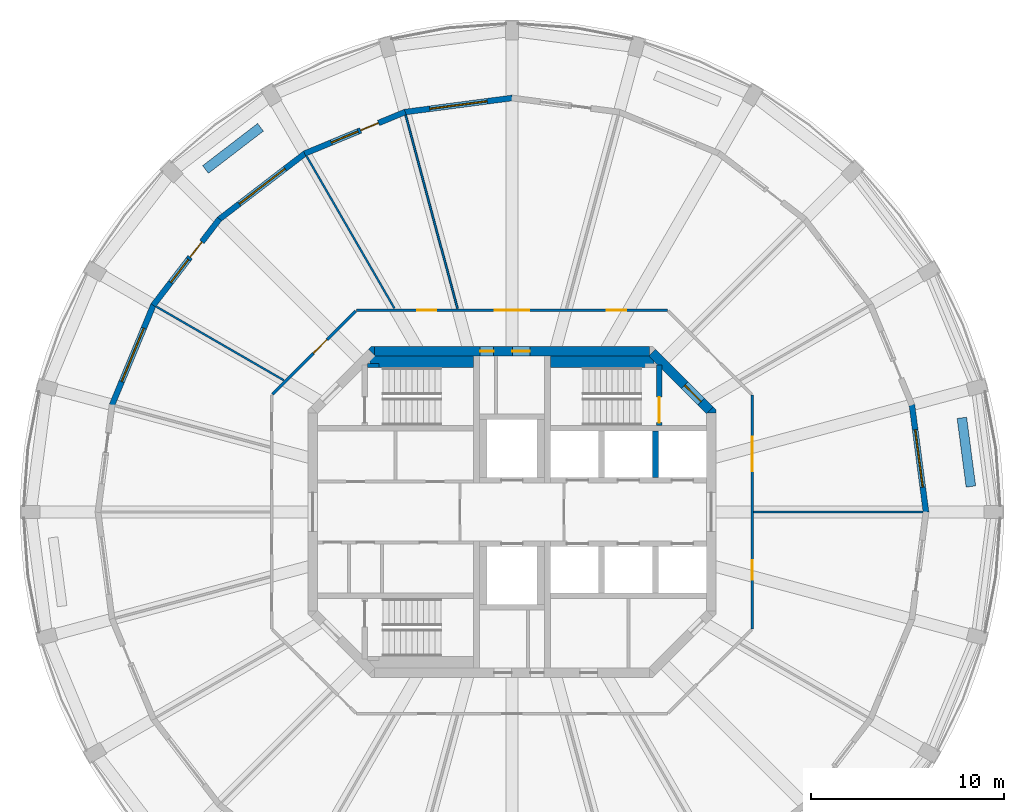
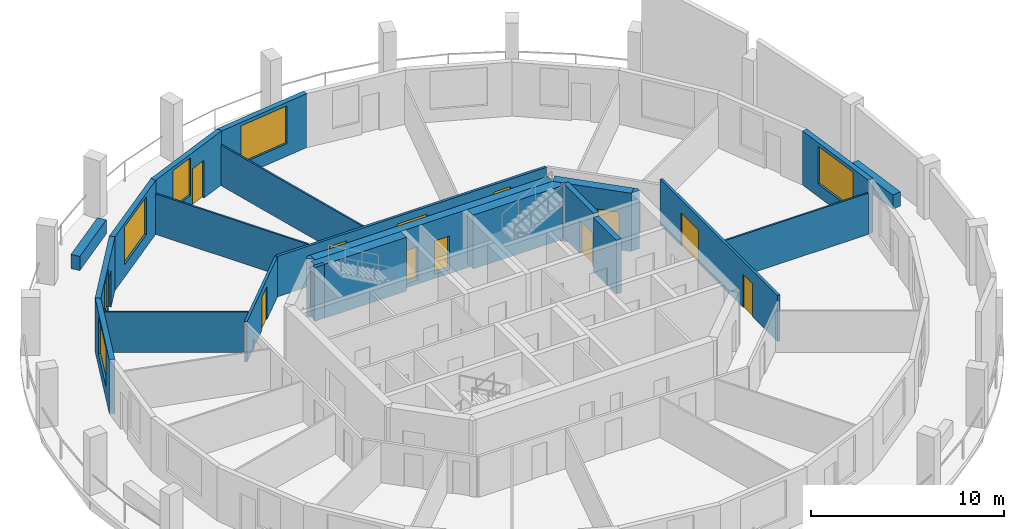
# One storey, part 5 of 8: 24 walls, 12 doors, 6 windows, 18 openings.
"""IFC4 building model written with IfcOpenShell, lengths in metres."""

from ifc_helpers import new_model, si_unit, direction, frame, frame_2d, origin, place, context, subcontext, project, spatial, polyline, rectangle, outline, extrude, material, layer, layer_set, type_object, element, fill, save


model = new_model("IFC4")

# Units and contexts
model_context = context("Model", 3, precision=1e-05, world=origin(), true_north=direction((0.0, 1.0)))
body_context = subcontext(model_context, "Body", "Model", "MODEL_VIEW")
ifc_project = project(units=[si_unit("LENGTHUNIT", "METRE"), si_unit("AREAUNIT", "SQUARE_METRE"), si_unit("VOLUMEUNIT", "CUBIC_METRE"), si_unit("PLANEANGLEUNIT", "RADIAN"), si_unit("MASSUNIT", "GRAM", prefix="KILO")], contexts=[model_context])

# Site, building, storey
site_placement = place(None, origin())
site = spatial("IfcSite", under=ifc_project, at=site_placement, CompositionType="ELEMENT")
building_placement = place(site_placement, origin())
building = spatial("IfcBuilding", under=site, at=building_placement, Name="Torre Triforio", CompositionType="ELEMENT")
storey_placement = place(building_placement, frame((0.0, 0.0, 287.10009765625)))
storey = spatial("IfcBuildingStorey", under=building, at=storey_placement, Name="L66", CompositionType="ELEMENT", Elevation=287.10009765625)

# Wall, openings, doors
ifc_material_1 = material(Name="Concrete C40", Category="concrete")
ifc_layer_1 = layer(ifc_material_1, 0.5)
ifc_layer_set_1 = layer_set([ifc_layer_1], Name="Concrete C40")
wall_type_1 = type_object("IfcWallType", Name="Core wall 500 mm C40 EI 120", PredefinedType="SHEAR", material=ifc_layer_set_1)
wall_1_placement = place(storey_placement, frame((-7.1298828125, 8.35009765625, -0.280029296875), z_axis=(0.0, 0.0, 1.0), x_axis=(1.0, 0.0, 0.0)))
wall_1 = element("IfcWall", 1, at=wall_1_placement, inside=storey, type_object=wall_type_1, Name="Core wall", PredefinedType="SHEAR", context=body_context, shape_type="SweptSolid", body=[
    extrude(rectangle(XDim=14.259765625, YDim=0.5, at=frame_2d((7.1298828125, 0.0))), origin(), (0.0, 0.0, 1.0), 3.699951171875),
])
opening_1_placement = place(wall_1_placement, frame((5.47998046875, 0.0, 0.280029296875)))
opening_1 = element("IfcOpeningElement", 2, at=opening_1_placement, cuts=wall_1, Name="Opening RISER-N", PredefinedType="OPENING", context=body_context, shape_type="SweptSolid", body=[
    extrude(rectangle(XDim=0.699951171875, YDim=2.10009765625, at=frame_2d((0.35009765625, 1.050048828125))), frame((0.0, 0.260009765625, 0.0), z_axis=(0.0, -1.0, 0.0), x_axis=(1.0, 0.0, 0.0)), (0.0, 0.0, 1.0), 0.52001953125),
])
opening_2_placement = place(wall_1_placement, frame((7.155029296875, 0.0, 0.280029296875)))
opening_2 = element("IfcOpeningElement", 3, at=opening_2_placement, cuts=wall_1, Name="Opening NE-01", PredefinedType="OPENING", context=body_context, shape_type="SweptSolid", body=[
    extrude(rectangle(XDim=0.89990234375, YDim=2.10009765625, at=frame_2d((0.449951171875, 1.050048828125))), frame((0.0, 0.260009765625, 0.0), z_axis=(0.0, -1.0, 0.0), x_axis=(1.0, 0.0, 0.0)), (0.0, 0.0, 1.0), 0.52001953125),
])
ifc_material_2 = material(Name="Hollow metal fire door leaf")
door_type_1 = type_object("IfcDoorType", Name="Riser door 700 x 2100 EI 60", OperationType="NOTDEFINED", PredefinedType="DOOR", material=ifc_material_2)
door_1_placement = place(opening_1_placement, origin())
door_1 = element("IfcDoor", 4, at=door_1_placement, inside=storey, type_object=door_type_1, Name="Core door RISER-N", OperationType="SINGLE_SWING_LEFT", OverallHeight=2.10009765625, OverallWidth=0.699951171875, PredefinedType="DOOR", context=body_context, shape_type="SweptSolid", body=[
    extrude(rectangle(XDim=0.699951171875, YDim=2.10009765625, at=frame_2d((0.35009765625, 1.050048828125))), frame((0.0, 0.02490234375, 0.0), z_axis=(0.0, -1.0, 0.0), x_axis=(1.0, 0.0, 0.0)), (0.0, 0.0, 1.0), 0.050048828125),
])
fill(opening_1, door_1)
door_type_2 = type_object("IfcDoorType", Name="Room door 900 x 2100 EI 60", OperationType="NOTDEFINED", PredefinedType="DOOR", material=ifc_material_2)
door_2_placement = place(opening_2_placement, origin())
door_2 = element("IfcDoor", 5, at=door_2_placement, inside=storey, type_object=door_type_2, Name="Core door NE-01", OperationType="SINGLE_SWING_RIGHT", OverallHeight=2.10009765625, OverallWidth=0.89990234375, PredefinedType="DOOR", context=body_context, shape_type="SweptSolid", body=[
    extrude(rectangle(XDim=0.89990234375, YDim=2.10009765625, at=frame_2d((0.449951171875, 1.050048828125))), frame((0.0, 0.02490234375, 0.0), z_axis=(0.0, -1.0, 0.0), x_axis=(1.0, 0.0, 0.0)), (0.0, 0.0, 1.0), 0.050048828125),
])
fill(opening_2, door_2)

# Wall, opening, door
wall_2_placement = place(storey_placement, frame((7.27685546875, 8.27685546875, -0.280029296875), z_axis=(0.0, 0.0, 1.0), x_axis=(0.707106781187, -0.707106781187, 0.0)))
wall_2 = element("IfcWall", 6, at=wall_2_placement, inside=storey, type_object=wall_type_1, Name="Core wall", PredefinedType="SHEAR", context=body_context, shape_type="SweptSolid", body=[
    extrude(rectangle(XDim=4.24267578125, YDim=0.5, at=frame_2d((2.121337890625, 0.0))), origin(), (0.0, 0.0, 1.0), 3.699951171875),
])
opening_3_placement = place(wall_2_placement, frame((2.392578125, 0.0, 0.280029296875)))
opening_3 = element("IfcOpeningElement", 7, at=opening_3_placement, cuts=wall_2, Name="Opening ST2-EXIT", PredefinedType="OPENING", context=body_context, shape_type="SweptSolid", body=[
    extrude(rectangle(XDim=1.199951171875, YDim=2.10009765625, at=frame_2d((0.60009765625, 1.050048828125))), frame((0.0, 0.260009765625, 0.0), z_axis=(0.0, -1.0, 0.0), x_axis=(1.0, 0.0, 0.0)), (0.0, 0.0, 1.0), 0.52001953125),
])
door_type_3 = type_object("IfcDoorType", Name="Stair lobby door 1200 x 2100 EI 60", OperationType="NOTDEFINED", PredefinedType="DOOR", material=ifc_material_2)
door_3_placement = place(opening_3_placement, origin())
door_3 = element("IfcDoor", 8, at=door_3_placement, inside=storey, type_object=door_type_3, Name="Core door ST2-EXIT", OperationType="SINGLE_SWING_RIGHT", OverallHeight=2.10009765625, OverallWidth=1.199951171875, PredefinedType="DOOR", context=body_context, shape_type="SweptSolid", body=[
    extrude(rectangle(XDim=1.199951171875, YDim=2.10009765625, at=frame_2d((0.60009765625, 1.050048828125))), frame((0.0, 0.02490234375, 0.0), z_axis=(0.0, -1.0, 0.0), x_axis=(1.0, 0.0, 0.0)), (0.0, 0.0, 1.0), 0.050048828125),
])
fill(opening_3, door_3)

# Walls
wall_3_placement = place(storey_placement, frame((0.0, 0.0, -0.280029296875)))
element("IfcWall", 9, at=wall_3_placement, inside=storey, type_object=wall_type_1, Name="Core wall", PredefinedType="SHEAR", context=body_context, shape_type="SweptSolid", body=[
    extrude(outline(polyline([(10.60009765625, 5.30712890625), (10.60009765625, 5.1298828125), (10.1298828125, 5.1298828125), (10.45361328125, 5.45361328125), (10.60009765625, 5.30712890625)])), origin(), (0.0, 0.0, 1.0), 3.699951171875),
])
wall_4_placement = place(storey_placement, frame((0.0, 0.0, -0.280029296875)))
element("IfcWall", 10, at=wall_4_placement, inside=storey, type_object=wall_type_1, Name="Core wall", PredefinedType="SHEAR", context=body_context, shape_type="SweptSolid", body=[
    extrude(outline(polyline([(-7.30712890625, 8.60009765625), (-7.1298828125, 8.60009765625), (-7.1298828125, 8.1298828125), (-7.45361328125, 8.45361328125), (-7.30712890625, 8.60009765625)])), origin(), (0.0, 0.0, 1.0), 3.699951171875),
])

# Wall, opening, door
ifc_material_3 = material(Name="Plasterboard on metal studs")
ifc_layer_2 = layer(ifc_material_3, 0.14990234375)
ifc_layer_set_2 = layer_set([ifc_layer_2], Name="Plasterboard on metal studs")
wall_type_2 = type_object("IfcWallType", Name="Corridor and tenancy wall 150 mm EI 60", PredefinedType="PARTITIONING", material=ifc_layer_set_2)
wall_5_placement = place(storey_placement, frame((-12.43798828125, 6.120849609375, 0.0), z_axis=(0.0, 0.0, 1.0), x_axis=(0.707106781187, 0.707106781187, 0.0)))
wall_5 = element("IfcWall", 11, at=wall_5_placement, inside=storey, type_object=wall_type_2, Name="Partition 5", PredefinedType="PARTITIONING", context=body_context, shape_type="SweptSolid", body=[
    extrude(rectangle(XDim=6.10546875, YDim=0.14990234375, at=frame_2d((3.052734375, 0.0))), origin(), (0.0, 0.0, 1.0), 2.56982421875),
])
opening_4_placement = place(wall_5_placement, frame((3.001953125, 0.0, 0.0)))
opening_4 = element("IfcOpeningElement", 12, at=opening_4_placement, cuts=wall_5, Name="Opening X1-08", PredefinedType="OPENING", context=body_context, shape_type="SweptSolid", body=[
    extrude(rectangle(XDim=1.0, YDim=2.10009765625, at=frame_2d((0.5, 1.050048828125))), frame((0.0, 0.0849609375, 0.0), z_axis=(0.0, -1.0, 0.0), x_axis=(1.0, 0.0, 0.0)), (0.0, 0.0, 1.0), 0.169921875),
])
ifc_material_4 = material(Name="Timber", Category="wood")
door_type_4 = type_object("IfcDoorType", Name="Door 1000 x 2100 single leaf EI 30", OperationType="NOTDEFINED", PredefinedType="DOOR", material=ifc_material_4)
door_4_placement = place(opening_4_placement, origin())
door_4 = element("IfcDoor", 13, at=door_4_placement, inside=storey, type_object=door_type_4, Name="Door X1-08", OperationType="SINGLE_SWING_LEFT", OverallHeight=2.10009765625, OverallWidth=1.0, PredefinedType="DOOR", context=body_context, shape_type="SweptSolid", body=[
    extrude(rectangle(XDim=1.0, YDim=2.10009765625, at=frame_2d((0.5, 1.050048828125))), frame((0.0, 0.02490234375, 0.0), z_axis=(0.0, -1.0, 0.0), x_axis=(1.0, 0.0, 0.0)), (0.0, 0.0, 1.0), 0.050048828125),
])
fill(opening_4, door_4)

# Wall, openings, doors
wall_6_placement = place(storey_placement, frame((-8.083740234375, 10.47509765625, 0.0), z_axis=(0.0, 0.0, 1.0), x_axis=(1.0, 0.0, 0.0)))
wall_6 = element("IfcWall", 14, at=wall_6_placement, inside=storey, type_object=wall_type_2, Name="Partition 6", PredefinedType="PARTITIONING", context=body_context, shape_type="SweptSolid", body=[
    extrude(rectangle(XDim=16.16748046875, YDim=0.14990234375, at=frame_2d((8.083740234375, 0.0))), origin(), (0.0, 0.0, 1.0), 2.56982421875),
])
opening_5_placement = place(wall_6_placement, frame((13.00390625, 0.0, 0.0)))
opening_5 = element("IfcOpeningElement", 15, at=opening_5_placement, cuts=wall_6, Name="Opening X1-05", PredefinedType="OPENING", context=body_context, shape_type="SweptSolid", body=[
    extrude(rectangle(XDim=1.0, YDim=2.10009765625, at=frame_2d((0.5, 1.050048828125))), frame((0.0, 0.0849609375, 0.0), z_axis=(0.0, -1.0, 0.0), x_axis=(1.0, 0.0, 0.0)), (0.0, 0.0, 1.0), 0.169921875),
])
opening_6_placement = place(wall_6_placement, frame((7.183837890625, 0.0, 0.0)))
opening_6 = element("IfcOpeningElement", 16, at=opening_6_placement, cuts=wall_6, Name="Opening X1-06", PredefinedType="OPENING", context=body_context, shape_type="SweptSolid", body=[
    extrude(rectangle(XDim=1.800048828125, YDim=2.10009765625, at=frame_2d((0.89990234375, 1.050048828125))), frame((0.0, 0.0849609375, 0.0), z_axis=(0.0, -1.0, 0.0), x_axis=(1.0, 0.0, 0.0)), (0.0, 0.0, 1.0), 0.169921875),
])
opening_7_placement = place(wall_6_placement, frame((3.152587890625, 0.0, 0.0)))
opening_7 = element("IfcOpeningElement", 17, at=opening_7_placement, cuts=wall_6, Name="Opening X1-07", PredefinedType="OPENING", context=body_context, shape_type="SweptSolid", body=[
    extrude(rectangle(XDim=1.0, YDim=2.10009765625, at=frame_2d((0.5, 1.050048828125))), frame((0.0, 0.0849609375, 0.0), z_axis=(0.0, -1.0, 0.0), x_axis=(1.0, 0.0, 0.0)), (0.0, 0.0, 1.0), 0.169921875),
])
door_5_placement = place(opening_5_placement, origin())
door_5 = element("IfcDoor", 18, at=door_5_placement, inside=storey, type_object=door_type_4, Name="Door X1-05", OperationType="SINGLE_SWING_LEFT", OverallHeight=2.10009765625, OverallWidth=1.0, PredefinedType="DOOR", context=body_context, shape_type="SweptSolid", body=[
    extrude(rectangle(XDim=1.0, YDim=2.10009765625, at=frame_2d((0.5, 1.050048828125))), frame((0.0, 0.02490234375, 0.0), z_axis=(0.0, -1.0, 0.0), x_axis=(1.0, 0.0, 0.0)), (0.0, 0.0, 1.0), 0.050048828125),
])
fill(opening_5, door_5)
door_6_placement = place(opening_7_placement, origin())
door_6 = element("IfcDoor", 19, at=door_6_placement, inside=storey, type_object=door_type_4, Name="Door X1-07", OperationType="SINGLE_SWING_LEFT", OverallHeight=2.10009765625, OverallWidth=1.0, PredefinedType="DOOR", context=body_context, shape_type="SweptSolid", body=[
    extrude(rectangle(XDim=1.0, YDim=2.10009765625, at=frame_2d((0.5, 1.050048828125))), frame((0.0, 0.02490234375, 0.0), z_axis=(0.0, -1.0, 0.0), x_axis=(1.0, 0.0, 0.0)), (0.0, 0.0, 1.0), 0.050048828125),
])
fill(opening_7, door_6)
door_type_5 = type_object("IfcDoorType", Name="Door 1800 x 2100 double leaf EI 30", OperationType="DOUBLE_DOOR_SINGLE_SWING", PredefinedType="DOOR", material=ifc_material_4)
door_7_placement = place(opening_6_placement, origin())
door_7 = element("IfcDoor", 20, at=door_7_placement, inside=storey, type_object=door_type_5, Name="Door X1-06", OperationType="DOUBLE_DOOR_SINGLE_SWING", OverallHeight=2.10009765625, OverallWidth=1.800048828125, PredefinedType="DOOR", context=body_context, shape_type="SweptSolid", body=[
    extrude(rectangle(XDim=1.800048828125, YDim=2.10009765625, at=frame_2d((0.89990234375, 1.050048828125))), frame((0.0, 0.02490234375, 0.0), z_axis=(0.0, -1.0, 0.0), x_axis=(1.0, 0.0, 0.0)), (0.0, 0.0, 1.0), 0.050048828125),
])
fill(opening_6, door_7)

wall_7_placement = place(storey_placement, frame((12.47509765625, 6.083740234375, 0.0), z_axis=(0.0, 0.0, 1.0), x_axis=(0.0, -1.0, 0.0)))
wall_7 = element("IfcWall", 21, at=wall_7_placement, inside=storey, type_object=wall_type_2, Name="Partition 8", PredefinedType="PARTITIONING", context=body_context, shape_type="SweptSolid", body=[
    extrude(rectangle(XDim=12.16748046875, YDim=0.14990234375, at=frame_2d((6.083740234375, 0.0))), origin(), (0.0, 0.0, 1.0), 2.919921875),
])
opening_8_placement = place(wall_7_placement, frame((8.6005859375, 0.0, 0.0)))
opening_8 = element("IfcOpeningElement", 22, at=opening_8_placement, cuts=wall_7, Name="Opening X1-02", PredefinedType="OPENING", context=body_context, shape_type="SweptSolid", body=[
    extrude(rectangle(XDim=1.0, YDim=2.10009765625, at=frame_2d((0.5, 1.050048828125))), frame((0.0, 0.0849609375, 0.0), z_axis=(0.0, -1.0, 0.0), x_axis=(1.0, 0.0, 0.0)), (0.0, 0.0, 1.0), 0.169921875),
])
opening_9_placement = place(wall_7_placement, frame((2.1669921875, 0.0, 0.0)))
opening_9 = element("IfcOpeningElement", 23, at=opening_9_placement, cuts=wall_7, Name="Opening X1-03", PredefinedType="OPENING", context=body_context, shape_type="SweptSolid", body=[
    extrude(rectangle(XDim=1.800048828125, YDim=2.10009765625, at=frame_2d((0.89990234375, 1.050048828125))), frame((0.0, 0.0849609375, 0.0), z_axis=(0.0, -1.0, 0.0), x_axis=(1.0, 0.0, 0.0)), (0.0, 0.0, 1.0), 0.169921875),
])
door_8_placement = place(opening_8_placement, origin())
door_8 = element("IfcDoor", 24, at=door_8_placement, inside=storey, type_object=door_type_4, Name="Door X1-02", OperationType="SINGLE_SWING_LEFT", OverallHeight=2.10009765625, OverallWidth=1.0, PredefinedType="DOOR", context=body_context, shape_type="SweptSolid", body=[
    extrude(rectangle(XDim=1.0, YDim=2.10009765625, at=frame_2d((0.5, 1.050048828125))), frame((0.0, 0.02490234375, 0.0), z_axis=(0.0, -1.0, 0.0), x_axis=(1.0, 0.0, 0.0)), (0.0, 0.0, 1.0), 0.050048828125),
])
fill(opening_8, door_8)
door_9_placement = place(opening_9_placement, origin())
door_9 = element("IfcDoor", 25, at=door_9_placement, inside=storey, type_object=door_type_5, Name="Door X1-03", OperationType="DOUBLE_DOOR_SINGLE_SWING", OverallHeight=2.10009765625, OverallWidth=1.800048828125, PredefinedType="DOOR", context=body_context, shape_type="SweptSolid", body=[
    extrude(rectangle(XDim=1.800048828125, YDim=2.10009765625, at=frame_2d((0.89990234375, 1.050048828125))), frame((0.0, 0.02490234375, 0.0), z_axis=(0.0, -1.0, 0.0), x_axis=(1.0, 0.0, 0.0)), (0.0, 0.0, 1.0), 0.050048828125),
])
fill(opening_9, door_9)

# Walls
ifc_layer_3 = layer(ifc_material_3, 0.10009765625)
ifc_layer_set_3 = layer_set([ifc_layer_3], Name="Plasterboard on metal studs")
wall_type_3 = type_object("IfcWallType", Name="Partition 100 mm board on metal studs", PredefinedType="PARTITIONING", material=ifc_layer_set_3)
wall_8_placement = place(storey_placement, frame((12.550048828125, 0.0, 0.0), z_axis=(0.0, 0.0, 1.0), x_axis=(1.0, 0.0, 0.0)))
element("IfcWall", 26, at=wall_8_placement, inside=storey, type_object=wall_type_3, Name="Partition 9", PredefinedType="PARTITIONING", context=body_context, shape_type="SweptSolid", body=[
    extrude(rectangle(XDim=8.78662109375, YDim=0.10009765625, at=frame_2d((4.393310546875, 0.0))), origin(), (0.0, 0.0, 1.0), 2.619873046875),
])
wall_9_placement = place(storey_placement, frame((-2.830810546875, 10.564208984375, 0.0), z_axis=(0.0, 0.0, 1.0), x_axis=(-0.258796321138, 0.965931914871, 0.0)))
element("IfcWall", 27, at=wall_9_placement, inside=storey, type_object=wall_type_3, Name="Partition 13", PredefinedType="PARTITIONING", context=body_context, shape_type="SweptSolid", body=[
    extrude(rectangle(XDim=10.399658203125, YDim=0.10009765625, at=frame_2d((5.19970703125, 0.0))), origin(), (0.0, 0.0, 1.0), 2.56982421875),
])
wall_10_placement = place(storey_placement, frame((-6.105224609375, 10.57470703125, 0.0), z_axis=(0.0, 0.0, 1.0), x_axis=(-0.500020406621, 0.866013621696, 0.0)))
element("IfcWall", 28, at=wall_10_placement, inside=storey, type_object=wall_type_3, Name="Partition 14", PredefinedType="PARTITIONING", context=body_context, shape_type="SweptSolid", body=[
    extrude(rectangle(XDim=9.1259765625, YDim=0.10009765625, at=frame_2d((4.56298828125, 0.0))), origin(), (0.0, 0.0, 1.0), 2.56982421875),
])
wall_11_placement = place(storey_placement, frame((-11.845947265625, 6.839111328125, 0.0), z_axis=(0.0, 0.0, 1.0), x_axis=(-0.866007734672, 0.500030602552, 0.0)))
element("IfcWall", 29, at=wall_11_placement, inside=storey, type_object=wall_type_3, Name="Partition 15", PredefinedType="PARTITIONING", context=body_context, shape_type="SweptSolid", body=[
    extrude(rectangle(XDim=7.658203125, YDim=0.10009765625, at=frame_2d((3.8291015625, 0.0))), origin(), (0.0, 0.0, 1.0), 2.56982421875),
])
ifc_material_5 = material(Name="Limestone cladding", Category="masonry")
ifc_layer_4 = layer(ifc_material_5, 0.10009765625)
ifc_layer_5 = layer(ifc_material_1, 0.39990234375)
ifc_layer_set_4 = layer_set([ifc_layer_4, ifc_layer_5], Name="Limestone cladding / Concrete C40")
wall_type_4 = type_object("IfcWallType", Name="Planter wall 500", PredefinedType="PARAPET", material=ifc_layer_set_4)
for number, where, z_axis, x_axis, name in (
    (30, (23.831298828125, 1.322021484375, 0.0), (0.0, 0.0, 1.0), (-0.130551000099, 0.991441595039, 0.0), "Planter L66 bay 01"),
    (31, (-13.060546875, 19.9775390625, 0.0), (0.0, 0.0, 1.0), (-0.793326845617, -0.608795955984, 0.0), "Planter L66 bay 09"),
):
    element("IfcWall", number, at=place(storey_placement, frame(where, z_axis=z_axis, x_axis=x_axis)), inside=storey, type_object=wall_type_4, Name=name, PredefinedType="PARAPET", context=body_context, shape_type="SweptSolid", body=[
        extrude(rectangle(XDim=3.599853515625, YDim=0.5, at=frame_2d((1.7998046875, 0.0))), origin(), (0.0, 0.0, 1.0), 0.89990234375),
    ])
ifc_layer_6 = layer(ifc_material_1, 0.300048828125)
ifc_layer_set_5 = layer_set([ifc_layer_6], Name="Concrete C40")
wall_type_5 = type_object("IfcWallType", Name="Shaft wall 300 mm C40 EI 120", PredefinedType="SOLIDWALL", material=ifc_layer_set_5)
wall_12_placement = place(storey_placement, frame((7.449951171875, 1.800048828125, 0.0), z_axis=(0.0, 0.0, 1.0), x_axis=(0.0, 1.0, 0.0)))
element("IfcWall", 32, at=wall_12_placement, inside=storey, type_object=wall_type_5, Name="Shaft wall", PredefinedType="SOLIDWALL", context=body_context, shape_type="SweptSolid", body=[
    extrude(rectangle(XDim=2.39990234375, YDim=0.300048828125, at=frame_2d((1.199951171875, 0.0))), origin(), (0.0, 0.0, 1.0), 3.419921875),
])
ifc_layer_7 = layer(ifc_material_1, 0.199951171875)
ifc_layer_set_6 = layer_set([ifc_layer_7], Name="Concrete C40")
wall_type_6 = type_object("IfcWallType", Name="Stair wall 200 mm C40 EI 120", PredefinedType="SHEAR", material=ifc_layer_set_6)
wall_13_placement = place(storey_placement, frame((-7.5, 7.60009765625, 0.0), z_axis=(0.0, 0.0, 1.0), x_axis=(1.0, 0.0, 0.0)))
element("IfcWall", 33, at=wall_13_placement, inside=storey, type_object=wall_type_6, Name="Stair wall", PredefinedType="SHEAR", context=body_context, shape_type="SweptSolid", body=[
    extrude(rectangle(XDim=0.60009765625, YDim=0.199951171875, at=frame_2d((0.300048828125, 0.0))), origin(), (0.0, 0.0, 1.0), 3.419921875),
])

# Wall, opening, door
ifc_layer_8 = layer(ifc_material_1, 0.300048828125)
ifc_layer_set_7 = layer_set([ifc_layer_8], Name="Concrete C40")
wall_type_7 = type_object("IfcWallType", Name="Stair wall 300 mm C40 EI 120", PredefinedType="SHEAR", material=ifc_layer_set_7)
wall_14_placement = place(storey_placement, frame((7.64990234375, 4.5, 0.0), z_axis=(0.0, 0.0, 1.0), x_axis=(0.0, 1.0, 0.0)))
wall_14 = element("IfcWall", 34, at=wall_14_placement, inside=storey, type_object=wall_type_7, Name="Stair wall", PredefinedType="SHEAR", context=body_context, shape_type="SweptSolid", body=[
    extrude(rectangle(XDim=3.139892578125, YDim=0.300048828125, at=frame_2d((1.56982421875, 0.0))), origin(), (0.0, 0.0, 1.0), 3.419921875),
])
opening_10_placement = place(wall_14_placement, frame((0.139892578125, 0.0, 0.0)))
opening_10 = element("IfcOpeningElement", 35, at=opening_10_placement, cuts=wall_14, Name="Opening ST2-STA", PredefinedType="OPENING", context=body_context, shape_type="SweptSolid", body=[
    extrude(rectangle(XDim=1.320068359375, YDim=2.10009765625, at=frame_2d((0.66015625, 1.050048828125))), frame((0.0, 0.159912109375, 0.0), z_axis=(0.0, -1.0, 0.0), x_axis=(1.0, 0.0, 0.0)), (0.0, 0.0, 1.0), 0.320068359375),
])
door_type_6 = type_object("IfcDoorType", Name="Stair door 1320 x 2100 EI 90", OperationType="DOUBLE_DOOR_SINGLE_SWING", PredefinedType="DOOR", material=ifc_material_2)
door_10_placement = place(opening_10_placement, origin())
door_10 = element("IfcDoor", 36, at=door_10_placement, inside=storey, type_object=door_type_6, Name="Core door ST2-ST", OperationType="DOUBLE_DOOR_SINGLE_SWING", OverallHeight=2.10009765625, OverallWidth=1.320068359375, PredefinedType="DOOR", context=body_context, shape_type="SweptSolid", body=[
    extrude(rectangle(XDim=1.320068359375, YDim=2.10009765625, at=frame_2d((0.66015625, 1.050048828125))), frame((0.0, 0.02490234375, 0.0), z_axis=(0.0, -1.0, 0.0), x_axis=(1.0, 0.0, 0.0)), (0.0, 0.0, 1.0), 0.050048828125),
])
fill(opening_10, door_10)

# Walls
ifc_layer_9 = layer(ifc_material_1, 0.60009765625)
ifc_layer_set_8 = layer_set([ifc_layer_9], Name="Concrete C40")
wall_type_8 = type_object("IfcWallType", Name="Stair wall 600 mm C40 EI 120", PredefinedType="SHEAR", material=ifc_layer_set_8)
for number, where, z_axis, x_axis, name in (
    (37, (-7.3701171875, 7.800048828125, 0.0), (0.0, 0.0, 1.0), (1.0, 0.0, 0.0), "Stair wall"),
    (38, (2.0, 7.800048828125, 0.0), (0.0, 0.0, 1.0), (1.0, 0.0, 0.0), "Stair wall"),
):
    element("IfcWall", number, at=place(storey_placement, frame(where, z_axis=z_axis, x_axis=x_axis)), inside=storey, type_object=wall_type_8, Name=name, PredefinedType="SHEAR", context=body_context, shape_type="SweptSolid", body=[
        extrude(rectangle(XDim=5.3701171875, YDim=0.60009765625, at=frame_2d((2.68505859375, 0.0))), origin(), (0.0, 0.0, 1.0), 3.419921875),
    ])

# Wall, opening, window
ifc_layer_10 = layer(ifc_material_5, 0.10009765625)
ifc_layer_11 = layer(ifc_material_1, 0.199951171875)
ifc_layer_set_9 = layer_set([ifc_layer_10, ifc_layer_11], Name="Limestone cladding / Concrete C40")
wall_type_9 = type_object("IfcWallType", Name="Stone-faced composite wall 300", PredefinedType="STANDARD", material=ifc_layer_set_9)
wall_15_placement = place(storey_placement, frame((21.502685546875, -0.01953125, 0.0), z_axis=(0.0, 0.0, 1.0), x_axis=(-0.130533844229, 0.991443853938, 0.0)))
wall_15 = element("IfcWall", 39, at=wall_15_placement, inside=storey, type_object=wall_type_9, Name="External wall L66 bay 01", PredefinedType="STANDARD", context=body_context, shape_type="SweptSolid", body=[
    extrude(rectangle(XDim=5.652099609375, YDim=0.300048828125, at=frame_2d((2.826171875, 0.0))), origin(), (0.0, 0.0, 1.0), 3.419921875),
])
opening_11_placement = place(wall_15_placement, frame((1.326171875, 0.0, 0.800048828125)))
opening_11 = element("IfcOpeningElement", 40, at=opening_11_placement, cuts=wall_15, Name="Opening X1-W01", PredefinedType="OPENING", context=body_context, shape_type="SweptSolid", body=[
    extrude(rectangle(XDim=3.0, YDim=2.39990234375, at=frame_2d((1.5, 1.199951171875))), frame((0.0, 0.159912109375, 0.0), z_axis=(0.0, -1.0, 0.0), x_axis=(1.0, 0.0, 0.0)), (0.0, 0.0, 1.0), 0.320068359375),
])
ifc_material_6 = material(Name="Aluminium frame with clear double glazing", Category="aluminium")
window_type_1 = type_object("IfcWindowType", Name="Punched window 3000 x 2400", PartitioningType="DOUBLE_PANEL_VERTICAL", PredefinedType="WINDOW", material=ifc_material_6)
window_1_placement = place(opening_11_placement, origin())
window_1 = element("IfcWindow", 41, at=window_1_placement, inside=storey, type_object=window_type_1, Name="Window EWN6 L66 bay 01", OverallHeight=2.39990234375, OverallWidth=3.0, PartitioningType="SINGLE_PANEL", PredefinedType="WINDOW", context=body_context, shape_type="SweptSolid", body=[
    extrude(rectangle(XDim=3.0, YDim=2.39990234375, at=frame_2d((1.5, 1.199951171875))), frame((0.0, 0.030029296875, 0.0), z_axis=(0.0, -1.0, 0.0), x_axis=(1.0, 0.0, 0.0)), (0.0, 0.0, 1.0), 0.06005859375),
])
fill(opening_11, window_1)

wall_16_placement = place(storey_placement, frame((0.01953125, 21.502685546875, 0.0), z_axis=(0.0, 0.0, 1.0), x_axis=(-0.991443853938, -0.130533844229, 0.0)))
wall_16 = element("IfcWall", 42, at=wall_16_placement, inside=storey, type_object=wall_type_9, Name="External wall L66 bay 07", PredefinedType="STANDARD", context=body_context, shape_type="SweptSolid", body=[
    extrude(rectangle(XDim=5.652099609375, YDim=0.300048828125, at=frame_2d((2.826171875, 0.0))), origin(), (0.0, 0.0, 1.0), 3.419921875),
])
opening_12_placement = place(wall_16_placement, frame((1.326171875, 0.0, 0.800048828125)))
opening_12 = element("IfcOpeningElement", 43, at=opening_12_placement, cuts=wall_16, Name="Opening X1-W07", PredefinedType="OPENING", context=body_context, shape_type="SweptSolid", body=[
    extrude(rectangle(XDim=3.0, YDim=2.39990234375, at=frame_2d((1.5, 1.199951171875))), frame((0.0, 0.159912109375, 0.0), z_axis=(0.0, -1.0, 0.0), x_axis=(1.0, 0.0, 0.0)), (0.0, 0.0, 1.0), 0.320068359375),
])
window_2_placement = place(opening_12_placement, origin())
window_2 = element("IfcWindow", 44, at=window_2_placement, inside=storey, type_object=window_type_1, Name="Window EWN6 L66 bay 07", OverallHeight=2.39990234375, OverallWidth=3.0, PartitioningType="SINGLE_PANEL", PredefinedType="WINDOW", context=body_context, shape_type="SweptSolid", body=[
    extrude(rectangle(XDim=3.0, YDim=2.39990234375, at=frame_2d((1.5, 1.199951171875))), frame((0.0, 0.030029296875, 0.0), z_axis=(0.0, -1.0, 0.0), x_axis=(1.0, 0.0, 0.0)), (0.0, 0.0, 1.0), 0.06005859375),
])
fill(opening_12, window_2)

# Wall, openings, door, window
wall_17_placement = place(storey_placement, frame((-5.54638671875, 20.77490234375, 0.0), z_axis=(0.0, 0.0, 1.0), x_axis=(-0.923888907244, -0.382660798975, 0.0)))
wall_17 = element("IfcWall", 45, at=wall_17_placement, inside=storey, type_object=wall_type_9, Name="External wall L66 bay 08", PredefinedType="STANDARD", context=body_context, shape_type="SweptSolid", body=[
    extrude(rectangle(XDim=5.652099609375, YDim=0.300048828125, at=frame_2d((2.826171875, 0.0))), origin(), (0.0, 0.0, 1.0), 3.419921875),
])
opening_13_placement = place(wall_17_placement, frame((1.501220703125, 0.0, 0.0)))
opening_13 = element("IfcOpeningElement", 46, at=opening_13_placement, cuts=wall_17, Name="Opening X1-D08", PredefinedType="OPENING", context=body_context, shape_type="SweptSolid", body=[
    extrude(rectangle(XDim=1.0, YDim=2.39990234375, at=frame_2d((0.5, 1.199951171875))), frame((0.0, 0.159912109375, 0.0), z_axis=(0.0, -1.0, 0.0), x_axis=(1.0, 0.0, 0.0)), (0.0, 0.0, 1.0), 0.320068359375),
])
opening_14_placement = place(wall_17_placement, frame((2.651123046875, 0.0, 0.800048828125)))
opening_14 = element("IfcOpeningElement", 47, at=opening_14_placement, cuts=wall_17, Name="Opening X1-W08A", PredefinedType="OPENING", context=body_context, shape_type="SweptSolid", body=[
    extrude(rectangle(XDim=1.5, YDim=2.39990234375, at=frame_2d((0.75, 1.199951171875))), frame((0.0, 0.159912109375, 0.0), z_axis=(0.0, -1.0, 0.0), x_axis=(1.0, 0.0, 0.0)), (0.0, 0.0, 1.0), 0.320068359375),
])
door_type_7 = type_object("IfcDoorType", Name="Loggia door 1000 x 2400", OperationType="NOTDEFINED", PredefinedType="DOOR", material=ifc_material_6)
door_11_placement = place(opening_13_placement, origin())
door_11 = element("IfcDoor", 48, at=door_11_placement, inside=storey, type_object=door_type_7, Name="Loggia door L66 bay 08", OperationType="SINGLE_SWING_LEFT", OverallHeight=2.39990234375, OverallWidth=1.0, PredefinedType="DOOR", context=body_context, shape_type="SweptSolid", body=[
    extrude(rectangle(XDim=1.0, YDim=2.39990234375, at=frame_2d((0.5, 1.199951171875))), frame((0.0, 0.02490234375, 0.0), z_axis=(0.0, -1.0, 0.0), x_axis=(1.0, 0.0, 0.0)), (0.0, 0.0, 1.0), 0.050048828125),
])
fill(opening_13, door_11)
window_type_2 = type_object("IfcWindowType", Name="Side window 1500 x 2400", PartitioningType="SINGLE_PANEL", PredefinedType="WINDOW", material=ifc_material_6)
window_3_placement = place(opening_14_placement, origin())
window_3 = element("IfcWindow", 49, at=window_3_placement, inside=storey, type_object=window_type_2, Name="Side window EWN14 L66 bay 08", OverallHeight=2.39990234375, OverallWidth=1.5, PartitioningType="SINGLE_PANEL", PredefinedType="WINDOW", context=body_context, shape_type="SweptSolid", body=[
    extrude(rectangle(XDim=1.5, YDim=2.39990234375, at=frame_2d((0.75, 1.199951171875))), frame((0.0, 0.030029296875, 0.0), z_axis=(0.0, -1.0, 0.0), x_axis=(1.0, 0.0, 0.0)), (0.0, 0.0, 1.0), 0.06005859375),
])
fill(opening_14, window_3)

# Wall, opening, window
wall_18_placement = place(storey_placement, frame((-10.734375, 18.631591796875, 0.0), z_axis=(0.0, 0.0, 1.0), x_axis=(-0.793363662257, -0.608747976925, 0.0)))
wall_18 = element("IfcWall", 50, at=wall_18_placement, inside=storey, type_object=wall_type_9, Name="External wall L66 bay 09", PredefinedType="STANDARD", context=body_context, shape_type="SweptSolid", body=[
    extrude(rectangle(XDim=5.652099609375, YDim=0.300048828125, at=frame_2d((2.826171875, 0.0))), origin(), (0.0, 0.0, 1.0), 3.419921875),
])
opening_15_placement = place(wall_18_placement, frame((1.326171875, 0.0, 0.800048828125)))
opening_15 = element("IfcOpeningElement", 51, at=opening_15_placement, cuts=wall_18, Name="Opening X1-W09", PredefinedType="OPENING", context=body_context, shape_type="SweptSolid", body=[
    extrude(rectangle(XDim=3.0, YDim=2.39990234375, at=frame_2d((1.5, 1.199951171875))), frame((0.0, 0.159912109375, 0.0), z_axis=(0.0, -1.0, 0.0), x_axis=(1.0, 0.0, 0.0)), (0.0, 0.0, 1.0), 0.320068359375),
])
window_4_placement = place(opening_15_placement, origin())
window_4 = element("IfcWindow", 52, at=window_4_placement, inside=storey, type_object=window_type_1, Name="Window EWN6 L66 bay 09", OverallHeight=2.39990234375, OverallWidth=3.0, PartitioningType="SINGLE_PANEL", PredefinedType="WINDOW", context=body_context, shape_type="SweptSolid", body=[
    extrude(rectangle(XDim=3.0, YDim=2.39990234375, at=frame_2d((1.5, 1.199951171875))), frame((0.0, 0.030029296875, 0.0), z_axis=(0.0, -1.0, 0.0), x_axis=(1.0, 0.0, 0.0)), (0.0, 0.0, 1.0), 0.06005859375),
])
fill(opening_15, window_4)

# Wall, openings, door, window
wall_19_placement = place(storey_placement, frame((-15.19091796875, 15.218505859375, 0.0), z_axis=(0.0, 0.0, 1.0), x_axis=(-0.608747976925, -0.793363662257, 0.0)))
wall_19 = element("IfcWall", 53, at=wall_19_placement, inside=storey, type_object=wall_type_9, Name="External wall L66 bay 10", PredefinedType="STANDARD", context=body_context, shape_type="SweptSolid", body=[
    extrude(rectangle(XDim=5.652099609375, YDim=0.300048828125, at=frame_2d((2.826171875, 0.0))), origin(), (0.0, 0.0, 1.0), 3.419921875),
])
opening_16_placement = place(wall_19_placement, frame((1.501220703125, 0.0, 0.0)))
opening_16 = element("IfcOpeningElement", 54, at=opening_16_placement, cuts=wall_19, Name="Opening X1-D10", PredefinedType="OPENING", context=body_context, shape_type="SweptSolid", body=[
    extrude(rectangle(XDim=1.0, YDim=2.39990234375, at=frame_2d((0.5, 1.199951171875))), frame((0.0, 0.159912109375, 0.0), z_axis=(0.0, -1.0, 0.0), x_axis=(1.0, 0.0, 0.0)), (0.0, 0.0, 1.0), 0.320068359375),
])
opening_17_placement = place(wall_19_placement, frame((2.651123046875, 0.0, 0.800048828125)))
opening_17 = element("IfcOpeningElement", 55, at=opening_17_placement, cuts=wall_19, Name="Opening X1-W10A", PredefinedType="OPENING", context=body_context, shape_type="SweptSolid", body=[
    extrude(rectangle(XDim=1.5, YDim=2.39990234375, at=frame_2d((0.75, 1.199951171875))), frame((0.0, 0.159912109375, 0.0), z_axis=(0.0, -1.0, 0.0), x_axis=(1.0, 0.0, 0.0)), (0.0, 0.0, 1.0), 0.320068359375),
])
door_12_placement = place(opening_16_placement, origin())
door_12 = element("IfcDoor", 56, at=door_12_placement, inside=storey, type_object=door_type_7, Name="Loggia door L66 bay 10", OperationType="SINGLE_SWING_LEFT", OverallHeight=2.39990234375, OverallWidth=1.0, PredefinedType="DOOR", context=body_context, shape_type="SweptSolid", body=[
    extrude(rectangle(XDim=1.0, YDim=2.39990234375, at=frame_2d((0.5, 1.199951171875))), frame((0.0, 0.02490234375, 0.0), z_axis=(0.0, -1.0, 0.0), x_axis=(1.0, 0.0, 0.0)), (0.0, 0.0, 1.0), 0.050048828125),
])
fill(opening_16, door_12)
window_5_placement = place(opening_17_placement, origin())
window_5 = element("IfcWindow", 57, at=window_5_placement, inside=storey, type_object=window_type_2, Name="Side window EWN14 L66 bay 10", OverallHeight=2.39990234375, OverallWidth=1.5, PartitioningType="SINGLE_PANEL", PredefinedType="WINDOW", context=body_context, shape_type="SweptSolid", body=[
    extrude(rectangle(XDim=1.5, YDim=2.39990234375, at=frame_2d((0.75, 1.199951171875))), frame((0.0, 0.030029296875, 0.0), z_axis=(0.0, -1.0, 0.0), x_axis=(1.0, 0.0, 0.0)), (0.0, 0.0, 1.0), 0.06005859375),
])
fill(opening_17, window_5)

# Wall, opening, window
wall_20_placement = place(storey_placement, frame((-18.612060546875, 10.768310546875, 0.0), z_axis=(0.0, 0.0, 1.0), x_axis=(-0.382660798975, -0.923888907244, 0.0)))
wall_20 = element("IfcWall", 58, at=wall_20_placement, inside=storey, type_object=wall_type_9, Name="External wall L66 bay 11", PredefinedType="STANDARD", context=body_context, shape_type="SweptSolid", body=[
    extrude(rectangle(XDim=5.652099609375, YDim=0.300048828125, at=frame_2d((2.826171875, 0.0))), origin(), (0.0, 0.0, 1.0), 3.419921875),
])
opening_18_placement = place(wall_20_placement, frame((1.326171875, 0.0, 0.800048828125)))
opening_18 = element("IfcOpeningElement", 59, at=opening_18_placement, cuts=wall_20, Name="Opening X1-W11", PredefinedType="OPENING", context=body_context, shape_type="SweptSolid", body=[
    extrude(rectangle(XDim=3.0, YDim=2.39990234375, at=frame_2d((1.5, 1.199951171875))), frame((0.0, 0.159912109375, 0.0), z_axis=(0.0, -1.0, 0.0), x_axis=(1.0, 0.0, 0.0)), (0.0, 0.0, 1.0), 0.320068359375),
])
window_6_placement = place(opening_18_placement, origin())
window_6 = element("IfcWindow", 60, at=window_6_placement, inside=storey, type_object=window_type_1, Name="Window EWN6 L66 bay 11", OverallHeight=2.39990234375, OverallWidth=3.0, PartitioningType="SINGLE_PANEL", PredefinedType="WINDOW", context=body_context, shape_type="SweptSolid", body=[
    extrude(rectangle(XDim=3.0, YDim=2.39990234375, at=frame_2d((1.5, 1.199951171875))), frame((0.0, 0.030029296875, 0.0), z_axis=(0.0, -1.0, 0.0), x_axis=(1.0, 0.0, 0.0)), (0.0, 0.0, 1.0), 0.06005859375),
])
fill(opening_18, window_6)

save(model, "model.ifc")
